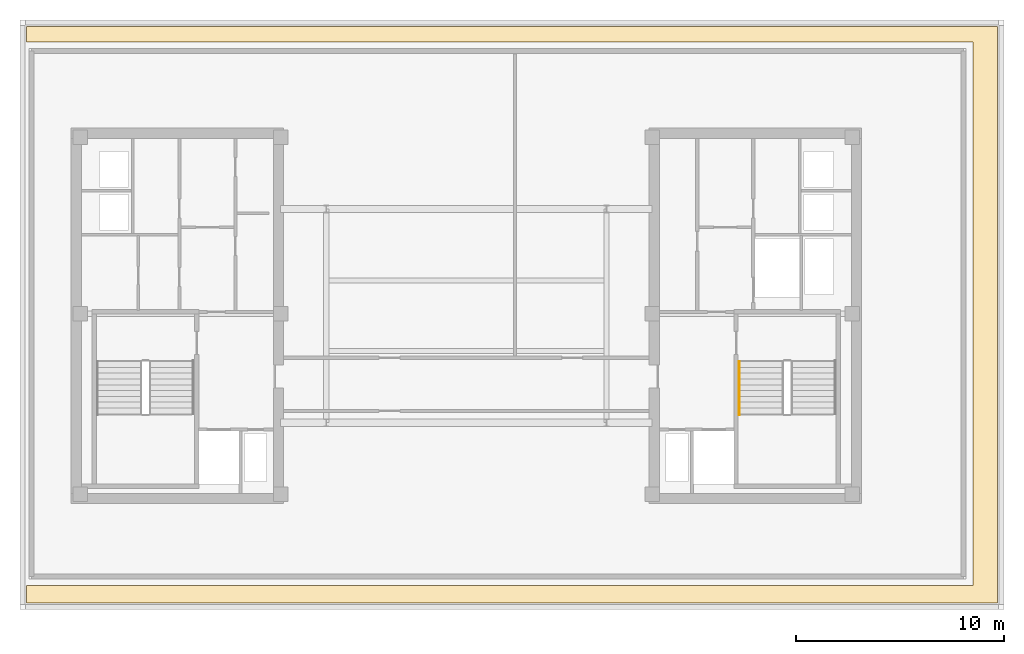
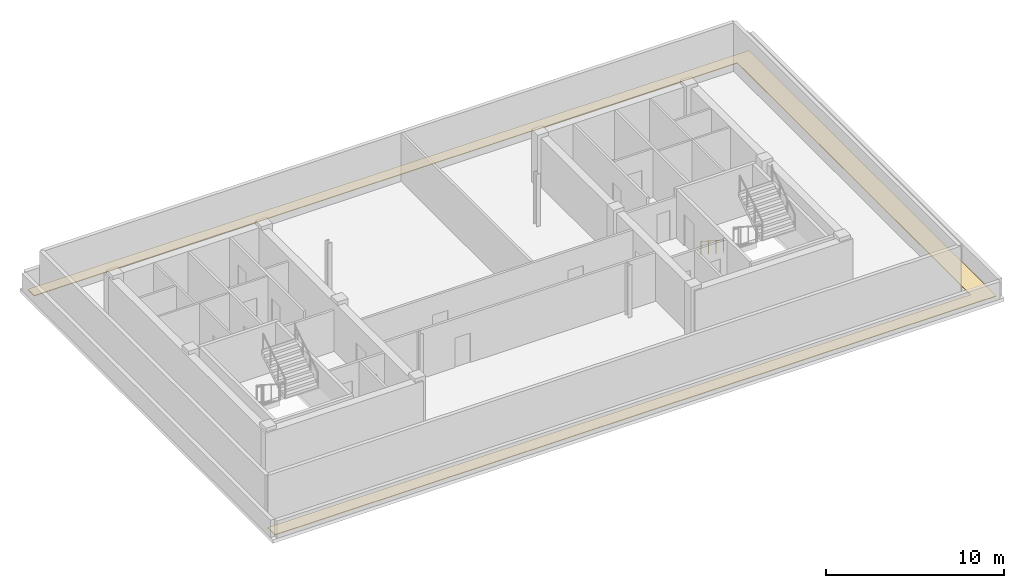
# One storey, part 6 of 7: 1 covering, 1 railing.
"""IFC4 building model written with IfcOpenShell, lengths in metres."""

from ifc_helpers import new_model, si_unit, direction, frame, origin, origin_2d, place, context, subcontext, project, spatial, polyline, circle, outline, extrude, material, layer, layer_set, type_object, element, save


model = new_model("IFC4")

# Units and contexts
model_context = context("Model", 3, precision=1e-05, world=origin(), true_north=direction((0.0, 1.0)))
body_context = subcontext(model_context, "Body", "Model", "MODEL_VIEW")
ifc_project = project(units=[si_unit("LENGTHUNIT", "METRE"), si_unit("AREAUNIT", "SQUARE_METRE"), si_unit("VOLUMEUNIT", "CUBIC_METRE"), si_unit("PLANEANGLEUNIT", "RADIAN"), si_unit("MASSUNIT", "GRAM", prefix="KILO")], contexts=[model_context])

# Site, building, storey
site_placement = place(None, origin())
site = spatial("IfcSite", under=ifc_project, at=site_placement, CompositionType="ELEMENT")
building_placement = place(site_placement, origin())
building = spatial("IfcBuilding", under=site, at=building_placement, Name="Velakula Bourse", CompositionType="ELEMENT")
storey_placement = place(building_placement, frame((0.0, 0.0, 294.14990234375)))
storey = spatial("IfcBuildingStorey", under=building, at=storey_placement, Name="L80", CompositionType="ELEMENT", Elevation=294.14990234375)

# Covering
ifc_material_1 = material(Name="Modified bitumen SBS waterproofing membrane", Category="bitumen")
ifc_layer = layer(ifc_material_1, 0.044921875, Name="Modified bitumen SBS waterproofing membrane", Category="bitumen")
ifc_layer_set = layer_set([ifc_layer], Name="Modified bitumen SBS waterproofing membrane")
covering_type = type_object("IfcCoveringType", Name="COV-ROOF-SBS-45", PredefinedType="ROOFING", material=ifc_layer_set)
covering_placement = place(storey_placement, origin())
element("IfcCovering", 1, at=covering_placement, inside=storey, type_object=covering_type, Name="L80 SBS Waterproofing Roof Membrane 1", PredefinedType="ROOFING", context=body_context, shape_type="SweptSolid", body=[
    extrude(outline(polyline([(-21.179931640625, -13.0), (24.39990234375, -13.0), (24.39990234375, 13.199951171875), (-21.179931640625, 13.199951171875), (-21.179931640625, 13.929931640625), (25.580078125, 13.929931640625), (25.580078125, -13.830078125), (-21.179931640625, -13.830078125), (-21.179931640625, -13.0)])), origin(), (0.0, 0.0, 1.0), 0.045166015625),
])

# Railing
ifc_material_2 = material(Name="Brushed grade 316 stainless steel", Category="steel")
railing_type = type_object("IfcRailingType", Name="RLG-STAIR-HAND-920", PredefinedType="HANDRAIL", material=ifc_material_2)
railing_placement = place(storey_placement, frame((13.14990234375, -2.199951171875, 0.18017578125)))
element("IfcRailing", 2, at=railing_placement, inside=storey, type_object=railing_type, Name="L80 ST-E1 stair handrail 1", PredefinedType="HANDRAIL", context=body_context, shape_type="SweptSolid", body=[
    extrude(circle(Radius=0.02099609375, at=origin_2d()), frame((0.0, 0.0, 0.89892578125), z_axis=(0.0, -0.841199657755, 0.540724639528), x_axis=(1.0, 0.0, 0.0)), (0.0, 0.0, 1.0), 2.995849609375),
    extrude(circle(Radius=0.02099609375, at=origin_2d()), frame((0.0, -2.52001953125, 2.518798828125), z_axis=(0.0, -0.217210922078, 0.976124692511), x_axis=(1.0, 0.0, 0.0)), (0.0, 0.0, 1.0), 0.184326171875),
    extrude(circle(Radius=0.02099609375, at=origin_2d()), frame((0.0, -2.56005859375, 2.69873046875), z_axis=(0.0, -1.0, 0.0), x_axis=(1.0, 0.0, 0.0)), (0.0, 0.0, 1.0), 0.0048828125),
    extrude(circle(Radius=0.02099609375, at=origin_2d()), origin(), (0.0, 0.0, 1.0), 0.8779296875),
    extrude(circle(Radius=0.02099609375, at=origin_2d()), frame((0.0, -0.840087890625, 0.5400390625)), (0.0, 0.0, 1.0), 0.8779296875),
    extrude(circle(Radius=0.02099609375, at=origin_2d()), frame((0.0, -1.679931640625, 1.079833984375)), (0.0, 0.0, 1.0), 0.8779296875),
    extrude(circle(Radius=0.02099609375, at=origin_2d()), frame((0.0, -2.52001953125, 1.619873046875)), (0.0, 0.0, 1.0), 0.8779296875),
    extrude(circle(Radius=0.02099609375, at=origin_2d()), frame((0.0, -2.56005859375, 1.7998046875)), (0.0, 0.0, 1.0), 0.8779296875),
    extrude(circle(Radius=0.02099609375, at=origin_2d()), frame((0.0, -2.56494140625, 1.7998046875)), (0.0, 0.0, 1.0), 0.8779296875),
])

save(model, "model.ifc")
